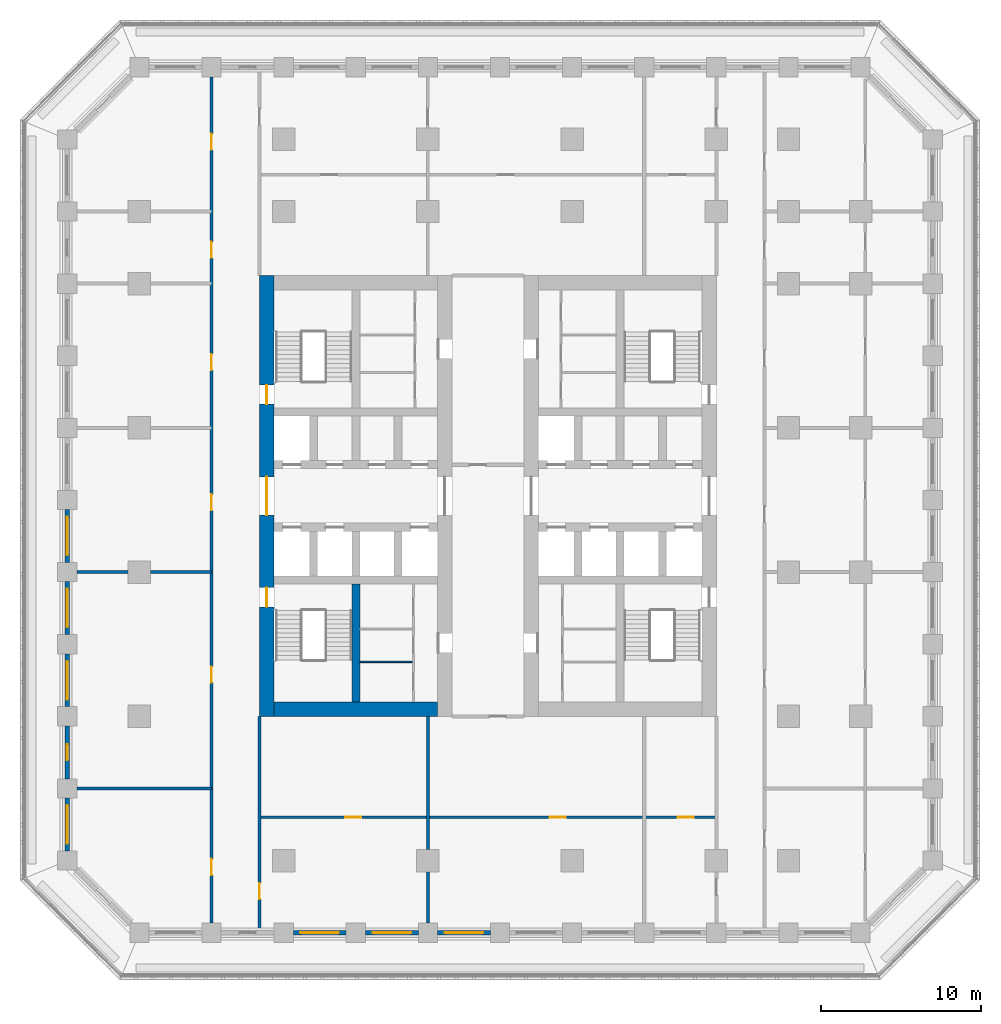
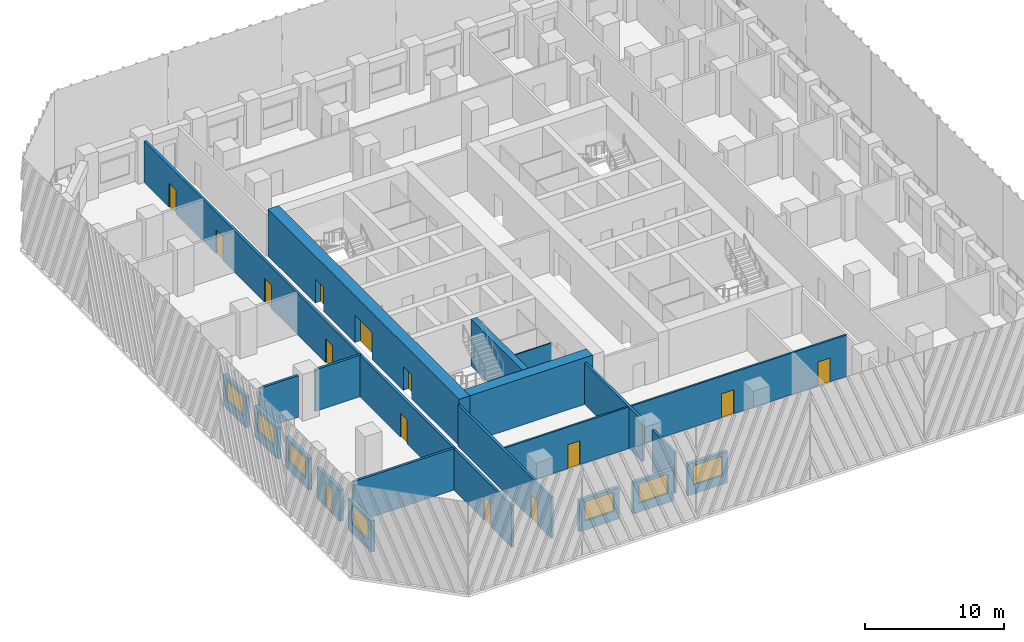
# One storey, part 3 of 19: 20 walls, 14 doors, 7 windows, 21 openings.
"""IFC4 building model written with IfcOpenShell, lengths in metres."""

from ifc_helpers import new_model, si_unit, direction, frame, frame_2d, origin, place, context, subcontext, project, spatial, rectangle, extrude, material, layer, layer_set, type_object, element, fill, save


model = new_model("IFC4")

# Units and contexts
model_context = context("Model", 3, precision=1e-05, world=origin(), true_north=direction((0.0, 1.0)))
body_context = subcontext(model_context, "Body", "Model", "MODEL_VIEW")
ifc_project = project(units=[si_unit("LENGTHUNIT", "METRE"), si_unit("AREAUNIT", "SQUARE_METRE"), si_unit("VOLUMEUNIT", "CUBIC_METRE"), si_unit("PLANEANGLEUNIT", "RADIAN"), si_unit("MASSUNIT", "GRAM", prefix="KILO")], contexts=[model_context])

# Site, building, storey
site_placement = place(None, origin())
site = spatial("IfcSite", under=ifc_project, at=site_placement, CompositionType="ELEMENT")
building_placement = place(site_placement, origin())
building = spatial("IfcBuilding", under=site, at=building_placement, Name="Corbel Stack Research Tower", CompositionType="ELEMENT")
storey_placement = place(building_placement, frame((0.0, 0.0, 90.199951171875)))
storey = spatial("IfcBuildingStorey", under=building, at=storey_placement, Name="L20", CompositionType="ELEMENT", Elevation=90.199951171875)

# Wall
ifc_material_1 = material(Name="Concrete C70/85", Category="concrete")
ifc_layer_1 = layer(ifc_material_1, 0.5)
ifc_layer_set_1 = layer_set([ifc_layer_1], Name="Concrete C70/85")
wall_type_1 = type_object("IfcWallType", Name="CW-500-70", PredefinedType="SHEAR", material=ifc_layer_set_1)
wall_1_placement = place(storey_placement, frame((-4.5, -8.10009765625, 0.0), z_axis=(0.0, 0.0, 1.0), x_axis=(0.0, 1.0, 0.0)))
element("IfcWall", 1, at=wall_1_placement, inside=storey, type_object=wall_type_1, Name="West core wall, south stair and WC L20", PredefinedType="SHEAR", context=body_context, shape_type="SweptSolid", body=[
    extrude(rectangle(XDim=7.35009765625, YDim=0.5, at=frame_2d((3.675048828125, 0.0))), origin(), (0.0, 0.0, 1.0), 4.10009765625),
])

# Wall, openings, doors
ifc_material_2 = material(Name="Concrete C70/85", Category="concrete")
ifc_layer_2 = layer(ifc_material_2, 0.89990234375)
ifc_layer_set_2 = layer_set([ifc_layer_2], Name="Concrete C70/85")
wall_type_2 = type_object("IfcWallType", Name="CW-900-70", PredefinedType="SHEAR", material=ifc_layer_set_2)
wall_2_placement = place(storey_placement, frame((-10.050048828125, -9.0, 0.0), z_axis=(0.0, 0.0, 1.0), x_axis=(0.0, 1.0, 0.0)))
wall_2 = element("IfcWall", 2, at=wall_2_placement, inside=storey, type_object=wall_type_2, Name="West core wall, west face L20", PredefinedType="SHEAR", context=body_context, shape_type="SweptSolid", body=[
    extrude(rectangle(XDim=27.5, YDim=0.89990234375, at=frame_2d((13.75, 0.0))), origin(), (0.0, 0.0, 1.0), 4.10009765625),
])
opening_1_placement = place(wall_2_placement, frame((12.550048828125, 0.0, 0.0)))
opening_1 = element("IfcOpeningElement", 3, at=opening_1_placement, cuts=wall_2, Name="Opening CD-W-W", PredefinedType="OPENING", context=body_context, shape_type="SweptSolid", body=[
    extrude(rectangle(XDim=2.39990234375, YDim=2.39990234375, at=frame_2d((1.199951171875, 1.199951171875))), frame((0.0, 0.4599609375, 0.0), z_axis=(0.0, -1.0, 0.0), x_axis=(1.0, 0.0, 0.0)), (0.0, 0.0, 1.0), 0.919921875),
])
opening_2_placement = place(wall_2_placement, frame((6.824951171875, 0.0, 0.0)))
opening_2 = element("IfcOpeningElement", 4, at=opening_2_placement, cuts=wall_2, Name="Opening SD-ST-W1", PredefinedType="OPENING", context=body_context, shape_type="SweptSolid", body=[
    extrude(rectangle(XDim=1.199951171875, YDim=2.10009765625, at=frame_2d((0.60009765625, 1.050048828125))), frame((0.0, 0.4599609375, 0.0), z_axis=(0.0, -1.0, 0.0), x_axis=(1.0, 0.0, 0.0)), (0.0, 0.0, 1.0), 0.919921875),
])
opening_3_placement = place(wall_2_placement, frame((19.47509765625, 0.0, 0.0)))
opening_3 = element("IfcOpeningElement", 5, at=opening_3_placement, cuts=wall_2, Name="Opening SD-ST-W2", PredefinedType="OPENING", context=body_context, shape_type="SweptSolid", body=[
    extrude(rectangle(XDim=1.199951171875, YDim=2.10009765625, at=frame_2d((0.60009765625, 1.050048828125))), frame((0.0, 0.4599609375, 0.0), z_axis=(0.0, -1.0, 0.0), x_axis=(1.0, 0.0, 0.0)), (0.0, 0.0, 1.0), 0.919921875),
])
ifc_material_3 = material(Name="Painted steel fire door", Category="steel")
door_type_1 = type_object("IfcDoorType", Name="Lobby door pair 2400 x 2400 FD30S", OperationType="DOUBLE_DOOR_DOUBLE_SWING", PredefinedType="DOOR", material=ifc_material_3)
door_1_placement = place(opening_1_placement, origin())
door_1 = element("IfcDoor", 6, at=door_1_placement, inside=storey, type_object=door_type_1, Name="Lift lobby door W core W", OperationType="DOUBLE_DOOR_DOUBLE_SWING", OverallHeight=2.39990234375, OverallWidth=2.39990234375, PredefinedType="DOOR", context=body_context, shape_type="SweptSolid", body=[
    extrude(rectangle(XDim=2.39990234375, YDim=2.39990234375, at=frame_2d((1.199951171875, 1.199951171875))), frame((0.0, 0.02490234375, 0.0), z_axis=(0.0, -1.0, 0.0), x_axis=(1.0, 0.0, 0.0)), (0.0, 0.0, 1.0), 0.050048828125),
])
fill(opening_1, door_1)
ifc_material_4 = material(Name="Painted steel fire door", Category="steel")
door_type_2 = type_object("IfcDoorType", Name="Stair door 1200 x 2100 FD90 left hand", OperationType="SINGLE_SWING_LEFT", PredefinedType="DOOR", material=ifc_material_4)
door_2_placement = place(opening_2_placement, origin())
door_2 = element("IfcDoor", 7, at=door_2_placement, inside=storey, type_object=door_type_2, Name="Stair door ST-W1", OperationType="SINGLE_SWING_LEFT", OverallHeight=2.10009765625, OverallWidth=1.199951171875, PredefinedType="DOOR", context=body_context, shape_type="SweptSolid", body=[
    extrude(rectangle(XDim=1.199951171875, YDim=2.10009765625, at=frame_2d((0.60009765625, 1.050048828125))), frame((0.0, 0.02490234375, 0.0), z_axis=(0.0, -1.0, 0.0), x_axis=(1.0, 0.0, 0.0)), (0.0, 0.0, 1.0), 0.050048828125),
])
fill(opening_2, door_2)
door_3_placement = place(opening_3_placement, origin())
door_3 = element("IfcDoor", 8, at=door_3_placement, inside=storey, type_object=door_type_2, Name="Stair door ST-W2", OperationType="SINGLE_SWING_LEFT", OverallHeight=2.10009765625, OverallWidth=1.199951171875, PredefinedType="DOOR", context=body_context, shape_type="SweptSolid", body=[
    extrude(rectangle(XDim=1.199951171875, YDim=2.10009765625, at=frame_2d((0.60009765625, 1.050048828125))), frame((0.0, 0.02490234375, 0.0), z_axis=(0.0, -1.0, 0.0), x_axis=(1.0, 0.0, 0.0)), (0.0, 0.0, 1.0), 0.050048828125),
])
fill(opening_3, door_3)

# Walls
wall_3_placement = place(storey_placement, frame((-9.60009765625, -8.550048828125, 0.0), z_axis=(0.0, 0.0, 1.0), x_axis=(1.0, 0.0, 0.0)))
element("IfcWall", 9, at=wall_3_placement, inside=storey, type_object=wall_type_2, Name="West core wall, south end L20", PredefinedType="SHEAR", context=body_context, shape_type="SweptSolid", body=[
    extrude(rectangle(XDim=10.2001953125, YDim=0.89990234375, at=frame_2d((5.10009765625, 0.0))), origin(), (0.0, 0.0, 1.0), 4.10009765625),
])
ifc_material_5 = material(Name="Gypsum board")
ifc_layer_3 = layer(ifc_material_5, 0.10009765625)
ifc_layer_set_3 = layer_set([ifc_layer_3], Name="Gypsum board")
wall_type_3 = type_object("IfcWallType", Name="Core partition 100", PredefinedType="PARTITIONING", material=ifc_layer_set_3)
wall_4_placement = place(storey_placement, frame((-4.25, -5.60107421875, 0.0), z_axis=(0.0, 0.0, 1.0), x_axis=(1.0, 0.0, 0.0)))
element("IfcWall", 10, at=wall_4_placement, inside=storey, type_object=wall_type_3, Name="Core partition W", PredefinedType="PARTITIONING", context=body_context, shape_type="SweptSolid", body=[
    extrude(rectangle(XDim=3.35009765625, YDim=0.10009765625, at=frame_2d((1.675048828125, 0.0))), origin(), (0.0, 0.0, 1.0), 3.650146484375),
])

# Wall, openings, doors
ifc_material_6 = material(Name="Fire-rated gypsum board partition on steel studs", Category="steel")
ifc_layer_4 = layer(ifc_material_6, 0.199951171875)
ifc_layer_set_4 = layer_set([ifc_layer_4], Name="Fire-rated gypsum board partition on steel studs")
wall_type_4 = type_object("IfcWallType", Name="Fire-rated partition 200 EI 60", PredefinedType="PARTITIONING", material=ifc_layer_set_4)
wall_5_placement = place(storey_placement, frame((-13.5, -21.89990234375, 0.0), z_axis=(0.0, 0.0, 1.0), x_axis=(0.0, 1.0, 0.0)))
wall_5 = element("IfcWall", 11, at=wall_5_placement, inside=storey, type_object=wall_type_4, Name="Partition L20-001", PredefinedType="PARTITIONING", context=body_context, shape_type="SweptSolid", body=[
    extrude(rectangle(XDim=52.7998046875, YDim=0.199951171875, at=frame_2d((26.39990234375, 0.0))), origin(), (0.0, 0.0, 1.0), 3.650146484375),
])
opening_4_placement = place(wall_5_placement, frame((3.0, 0.0, 0.0)))
opening_4 = element("IfcOpeningElement", 12, at=opening_4_placement, cuts=wall_5, Name="Opening B3V1-004", PredefinedType="OPENING", context=body_context, shape_type="SweptSolid", body=[
    extrude(rectangle(XDim=1.0, YDim=2.10009765625, at=frame_2d((0.5, 1.050048828125))), frame((0.0, 0.10986328125, 0.0), z_axis=(0.0, -1.0, 0.0), x_axis=(1.0, 0.0, 0.0)), (0.0, 0.0, 1.0), 0.219970703125),
])
opening_5_placement = place(wall_5_placement, frame((15.0, 0.0, 0.0)))
opening_5 = element("IfcOpeningElement", 13, at=opening_5_placement, cuts=wall_5, Name="Opening B3V1-005", PredefinedType="OPENING", context=body_context, shape_type="SweptSolid", body=[
    extrude(rectangle(XDim=1.0, YDim=2.10009765625, at=frame_2d((0.5, 1.050048828125))), frame((0.0, 0.10986328125, 0.0), z_axis=(0.0, -1.0, 0.0), x_axis=(1.0, 0.0, 0.0)), (0.0, 0.0, 1.0), 0.219970703125),
])
opening_6_placement = place(wall_5_placement, frame((25.75, 0.0, 0.0)))
opening_6 = element("IfcOpeningElement", 14, at=opening_6_placement, cuts=wall_5, Name="Opening B3V1-006", PredefinedType="OPENING", context=body_context, shape_type="SweptSolid", body=[
    extrude(rectangle(XDim=1.0, YDim=2.10009765625, at=frame_2d((0.5, 1.050048828125))), frame((0.0, 0.10986328125, 0.0), z_axis=(0.0, -1.0, 0.0), x_axis=(1.0, 0.0, 0.0)), (0.0, 0.0, 1.0), 0.219970703125),
])
opening_7_placement = place(wall_5_placement, frame((34.5, 0.0, 0.0)))
opening_7 = element("IfcOpeningElement", 15, at=opening_7_placement, cuts=wall_5, Name="Opening B3V1-007", PredefinedType="OPENING", context=body_context, shape_type="SweptSolid", body=[
    extrude(rectangle(XDim=1.0, YDim=2.10009765625, at=frame_2d((0.5, 1.050048828125))), frame((0.0, 0.10986328125, 0.0), z_axis=(0.0, -1.0, 0.0), x_axis=(1.0, 0.0, 0.0)), (0.0, 0.0, 1.0), 0.219970703125),
])
opening_8_placement = place(wall_5_placement, frame((41.5, 0.0, 0.0)))
opening_8 = element("IfcOpeningElement", 16, at=opening_8_placement, cuts=wall_5, Name="Opening B3V1-008", PredefinedType="OPENING", context=body_context, shape_type="SweptSolid", body=[
    extrude(rectangle(XDim=1.0, YDim=2.10009765625, at=frame_2d((0.5, 1.050048828125))), frame((0.0, 0.10986328125, 0.0), z_axis=(0.0, -1.0, 0.0), x_axis=(1.0, 0.0, 0.0)), (0.0, 0.0, 1.0), 0.219970703125),
])
opening_9_placement = place(wall_5_placement, frame((48.25, 0.0, 0.0)))
opening_9 = element("IfcOpeningElement", 17, at=opening_9_placement, cuts=wall_5, Name="Opening B3V1-009", PredefinedType="OPENING", context=body_context, shape_type="SweptSolid", body=[
    extrude(rectangle(XDim=1.0, YDim=2.10009765625, at=frame_2d((0.5, 1.050048828125))), frame((0.0, 0.10986328125, 0.0), z_axis=(0.0, -1.0, 0.0), x_axis=(1.0, 0.0, 0.0)), (0.0, 0.0, 1.0), 0.219970703125),
])
ifc_material_7 = material(Name="Painted steel fire door", Category="steel")
door_type_3 = type_object("IfcDoorType", Name="Fire door FD30S 1000 x 2100", OperationType="NOTDEFINED", PredefinedType="DOOR", material=ifc_material_7)
door_4_placement = place(opening_4_placement, origin())
door_4 = element("IfcDoor", 18, at=door_4_placement, inside=storey, type_object=door_type_3, Name="Door B3V1-004", OperationType="SINGLE_SWING_LEFT", OverallHeight=2.10009765625, OverallWidth=1.0, PredefinedType="DOOR", context=body_context, shape_type="SweptSolid", body=[
    extrude(rectangle(XDim=1.0, YDim=2.10009765625, at=frame_2d((0.5, 1.050048828125))), frame((0.0, 0.02490234375, 0.0), z_axis=(0.0, -1.0, 0.0), x_axis=(1.0, 0.0, 0.0)), (0.0, 0.0, 1.0), 0.050048828125),
])
fill(opening_4, door_4)
door_5_placement = place(opening_5_placement, origin())
door_5 = element("IfcDoor", 19, at=door_5_placement, inside=storey, type_object=door_type_3, Name="Door B3V1-005", OperationType="SINGLE_SWING_LEFT", OverallHeight=2.10009765625, OverallWidth=1.0, PredefinedType="DOOR", context=body_context, shape_type="SweptSolid", body=[
    extrude(rectangle(XDim=1.0, YDim=2.10009765625, at=frame_2d((0.5, 1.050048828125))), frame((0.0, 0.02490234375, 0.0), z_axis=(0.0, -1.0, 0.0), x_axis=(1.0, 0.0, 0.0)), (0.0, 0.0, 1.0), 0.050048828125),
])
fill(opening_5, door_5)
door_6_placement = place(opening_6_placement, origin())
door_6 = element("IfcDoor", 20, at=door_6_placement, inside=storey, type_object=door_type_3, Name="Door B3V1-006", OperationType="SINGLE_SWING_LEFT", OverallHeight=2.10009765625, OverallWidth=1.0, PredefinedType="DOOR", context=body_context, shape_type="SweptSolid", body=[
    extrude(rectangle(XDim=1.0, YDim=2.10009765625, at=frame_2d((0.5, 1.050048828125))), frame((0.0, 0.02490234375, 0.0), z_axis=(0.0, -1.0, 0.0), x_axis=(1.0, 0.0, 0.0)), (0.0, 0.0, 1.0), 0.050048828125),
])
fill(opening_6, door_6)
door_7_placement = place(opening_7_placement, origin())
door_7 = element("IfcDoor", 21, at=door_7_placement, inside=storey, type_object=door_type_3, Name="Door B3V1-007", OperationType="SINGLE_SWING_RIGHT", OverallHeight=2.10009765625, OverallWidth=1.0, PredefinedType="DOOR", context=body_context, shape_type="SweptSolid", body=[
    extrude(rectangle(XDim=1.0, YDim=2.10009765625, at=frame_2d((0.5, 1.050048828125))), frame((0.0, 0.02490234375, 0.0), z_axis=(0.0, -1.0, 0.0), x_axis=(1.0, 0.0, 0.0)), (0.0, 0.0, 1.0), 0.050048828125),
])
fill(opening_7, door_7)
door_8_placement = place(opening_8_placement, origin())
door_8 = element("IfcDoor", 22, at=door_8_placement, inside=storey, type_object=door_type_3, Name="Door B3V1-008", OperationType="SINGLE_SWING_RIGHT", OverallHeight=2.10009765625, OverallWidth=1.0, PredefinedType="DOOR", context=body_context, shape_type="SweptSolid", body=[
    extrude(rectangle(XDim=1.0, YDim=2.10009765625, at=frame_2d((0.5, 1.050048828125))), frame((0.0, 0.02490234375, 0.0), z_axis=(0.0, -1.0, 0.0), x_axis=(1.0, 0.0, 0.0)), (0.0, 0.0, 1.0), 0.050048828125),
])
fill(opening_8, door_8)
door_9_placement = place(opening_9_placement, origin())
door_9 = element("IfcDoor", 23, at=door_9_placement, inside=storey, type_object=door_type_3, Name="Door B3V1-009", OperationType="SINGLE_SWING_RIGHT", OverallHeight=2.10009765625, OverallWidth=1.0, PredefinedType="DOOR", context=body_context, shape_type="SweptSolid", body=[
    extrude(rectangle(XDim=1.0, YDim=2.10009765625, at=frame_2d((0.5, 1.050048828125))), frame((0.0, 0.02490234375, 0.0), z_axis=(0.0, -1.0, 0.0), x_axis=(1.0, 0.0, 0.0)), (0.0, 0.0, 1.0), 0.050048828125),
])
fill(opening_9, door_9)

# Wall, opening, door
wall_6_placement = place(storey_placement, frame((-10.5, -9.0, 0.0), z_axis=(0.0, 0.0, 1.0), x_axis=(0.0, -1.0, 0.0)))
wall_6 = element("IfcWall", 24, at=wall_6_placement, inside=storey, type_object=wall_type_4, Name="Partition L20-002", PredefinedType="PARTITIONING", context=body_context, shape_type="SweptSolid", body=[
    extrude(rectangle(XDim=13.35009765625, YDim=0.199951171875, at=frame_2d((6.675048828125, 0.0))), origin(), (0.0, 0.0, 1.0), 3.650146484375),
])
opening_10_placement = place(wall_6_placement, frame((10.39990234375, 0.0, 0.0)))
opening_10 = element("IfcOpeningElement", 25, at=opening_10_placement, cuts=wall_6, Name="Opening B3V1-010", PredefinedType="OPENING", context=body_context, shape_type="SweptSolid", body=[
    extrude(rectangle(XDim=1.0, YDim=2.10009765625, at=frame_2d((0.5, 1.050048828125))), frame((0.0, 0.10986328125, 0.0), z_axis=(0.0, -1.0, 0.0), x_axis=(1.0, 0.0, 0.0)), (0.0, 0.0, 1.0), 0.219970703125),
])
door_10_placement = place(opening_10_placement, origin())
door_10 = element("IfcDoor", 26, at=door_10_placement, inside=storey, type_object=door_type_3, Name="Door B3V1-010", OperationType="SINGLE_SWING_RIGHT", OverallHeight=2.10009765625, OverallWidth=1.0, PredefinedType="DOOR", context=body_context, shape_type="SweptSolid", body=[
    extrude(rectangle(XDim=1.0, YDim=2.10009765625, at=frame_2d((0.5, 1.050048828125))), frame((0.0, 0.02490234375, 0.0), z_axis=(0.0, -1.0, 0.0), x_axis=(1.0, 0.0, 0.0)), (0.0, 0.0, 1.0), 0.050048828125),
])
fill(opening_10, door_10)

# Walls
wall_7_placement = place(storey_placement, frame((0.0, -21.89990234375, 0.0), z_axis=(0.0, 0.0, 1.0), x_axis=(0.0, 1.0, 0.0)))
element("IfcWall", 27, at=wall_7_placement, inside=storey, type_object=wall_type_4, Name="Partition L20-007", PredefinedType="PARTITIONING", context=body_context, shape_type="SweptSolid", body=[
    extrude(rectangle(XDim=3.199951171875, YDim=0.199951171875, at=frame_2d((1.60009765625, 0.0))), origin(), (0.0, 0.0, 1.0), 3.650146484375),
])
wall_8_placement = place(storey_placement, frame((0.0, -17.300048828125, 0.0), z_axis=(0.0, 0.0, 1.0), x_axis=(0.0, 1.0, 0.0)))
element("IfcWall", 28, at=wall_8_placement, inside=storey, type_object=wall_type_4, Name="Partition L20-008", PredefinedType="PARTITIONING", context=body_context, shape_type="SweptSolid", body=[
    extrude(rectangle(XDim=8.300048828125, YDim=0.199951171875, at=frame_2d((4.14990234375, 0.0))), origin(), (0.0, 0.0, 1.0), 3.650146484375),
])
wall_9_placement = place(storey_placement, frame((-21.89990234375, -13.5, 0.0), z_axis=(0.0, 0.0, 1.0), x_axis=(1.0, 0.0, 0.0)))
element("IfcWall", 29, at=wall_9_placement, inside=storey, type_object=wall_type_4, Name="Partition L20-024", PredefinedType="PARTITIONING", context=body_context, shape_type="SweptSolid", body=[
    extrude(rectangle(XDim=8.39990234375, YDim=0.199951171875, at=frame_2d((4.199951171875, 0.0))), origin(), (0.0, 0.0, 1.0), 3.650146484375),
])
wall_10_placement = place(storey_placement, frame((-21.89990234375, 0.0, 0.0), z_axis=(0.0, 0.0, 1.0), x_axis=(1.0, 0.0, 0.0)))
element("IfcWall", 30, at=wall_10_placement, inside=storey, type_object=wall_type_4, Name="Partition L20-027", PredefinedType="PARTITIONING", context=body_context, shape_type="SweptSolid", body=[
    extrude(rectangle(XDim=3.199951171875, YDim=0.199951171875, at=frame_2d((1.60009765625, 0.0))), origin(), (0.0, 0.0, 1.0), 3.650146484375),
])
wall_11_placement = place(storey_placement, frame((-17.300048828125, 0.0, 0.0), z_axis=(0.0, 0.0, 1.0), x_axis=(1.0, 0.0, 0.0)))
element("IfcWall", 31, at=wall_11_placement, inside=storey, type_object=wall_type_4, Name="Partition L20-028", PredefinedType="PARTITIONING", context=body_context, shape_type="SweptSolid", body=[
    extrude(rectangle(XDim=3.800048828125, YDim=0.199951171875, at=frame_2d((1.89990234375, 0.0))), origin(), (0.0, 0.0, 1.0), 3.650146484375),
])

# Wall, openings, doors
ifc_material_8 = material(Name="Gypsum board partition on steel studs", Category="steel")
ifc_layer_5 = layer(ifc_material_8, 0.14990234375)
ifc_layer_set_5 = layer_set([ifc_layer_5], Name="Gypsum board partition on steel studs")
wall_type_5 = type_object("IfcWallType", Name="Partition 150", PredefinedType="PARTITIONING", material=ifc_layer_set_5)
wall_12_placement = place(storey_placement, frame((-10.5, -15.300048828125, 0.0), z_axis=(0.0, 0.0, 1.0), x_axis=(1.0, 0.0, 0.0)))
wall_12 = element("IfcWall", 32, at=wall_12_placement, inside=storey, type_object=wall_type_5, Name="Partition L20-023", PredefinedType="PARTITIONING", context=body_context, shape_type="SweptSolid", body=[
    extrude(rectangle(XDim=28.5, YDim=0.14990234375, at=frame_2d((14.25, 0.0))), origin(), (0.0, 0.0, 1.0), 3.650146484375),
])
opening_11_placement = place(wall_12_placement, frame((5.35009765625, 0.0, 0.0)))
opening_11 = element("IfcOpeningElement", 33, at=opening_11_placement, cuts=wall_12, Name="Opening B3V1-001", PredefinedType="OPENING", context=body_context, shape_type="SweptSolid", body=[
    extrude(rectangle(XDim=1.0, YDim=2.10009765625, at=frame_2d((0.5, 1.050048828125))), frame((0.0, 0.0849609375, 0.0), z_axis=(0.0, -1.0, 0.0), x_axis=(1.0, 0.0, 0.0)), (0.0, 0.0, 1.0), 0.169921875),
])
opening_12_placement = place(wall_12_placement, frame((18.10009765625, 0.0, 0.0)))
opening_12 = element("IfcOpeningElement", 34, at=opening_12_placement, cuts=wall_12, Name="Opening B3V1-002", PredefinedType="OPENING", context=body_context, shape_type="SweptSolid", body=[
    extrude(rectangle(XDim=1.0, YDim=2.10009765625, at=frame_2d((0.5, 1.050048828125))), frame((0.0, 0.0849609375, 0.0), z_axis=(0.0, -1.0, 0.0), x_axis=(1.0, 0.0, 0.0)), (0.0, 0.0, 1.0), 0.169921875),
])
opening_13_placement = place(wall_12_placement, frame((26.10009765625, 0.0, 0.0)))
opening_13 = element("IfcOpeningElement", 35, at=opening_13_placement, cuts=wall_12, Name="Opening B3V1-003", PredefinedType="OPENING", context=body_context, shape_type="SweptSolid", body=[
    extrude(rectangle(XDim=1.0, YDim=2.10009765625, at=frame_2d((0.5, 1.050048828125))), frame((0.0, 0.0849609375, 0.0), z_axis=(0.0, -1.0, 0.0), x_axis=(1.0, 0.0, 0.0)), (0.0, 0.0, 1.0), 0.169921875),
])
ifc_material_9 = material(Name="Painted timber door", Category="wood")
door_type_4 = type_object("IfcDoorType", Name="Single door 1000 x 2100", OperationType="NOTDEFINED", PredefinedType="DOOR", material=ifc_material_9)
door_11_placement = place(opening_11_placement, origin())
door_11 = element("IfcDoor", 36, at=door_11_placement, inside=storey, type_object=door_type_4, Name="Door B3V1-001", OperationType="SINGLE_SWING_LEFT", OverallHeight=2.10009765625, OverallWidth=1.0, PredefinedType="DOOR", context=body_context, shape_type="SweptSolid", body=[
    extrude(rectangle(XDim=1.0, YDim=2.10009765625, at=frame_2d((0.5, 1.050048828125))), frame((0.0, 0.02490234375, 0.0), z_axis=(0.0, -1.0, 0.0), x_axis=(1.0, 0.0, 0.0)), (0.0, 0.0, 1.0), 0.050048828125),
])
fill(opening_11, door_11)
door_12_placement = place(opening_12_placement, origin())
door_12 = element("IfcDoor", 37, at=door_12_placement, inside=storey, type_object=door_type_4, Name="Door B3V1-002", OperationType="SINGLE_SWING_RIGHT", OverallHeight=2.10009765625, OverallWidth=1.0, PredefinedType="DOOR", context=body_context, shape_type="SweptSolid", body=[
    extrude(rectangle(XDim=1.0, YDim=2.10009765625, at=frame_2d((0.5, 1.050048828125))), frame((0.0, 0.02490234375, 0.0), z_axis=(0.0, -1.0, 0.0), x_axis=(1.0, 0.0, 0.0)), (0.0, 0.0, 1.0), 0.050048828125),
])
fill(opening_12, door_12)
door_13_placement = place(opening_13_placement, origin())
door_13 = element("IfcDoor", 38, at=door_13_placement, inside=storey, type_object=door_type_4, Name="Door B3V1-003", OperationType="SINGLE_SWING_RIGHT", OverallHeight=2.10009765625, OverallWidth=1.0, PredefinedType="DOOR", context=body_context, shape_type="SweptSolid", body=[
    extrude(rectangle(XDim=1.0, YDim=2.10009765625, at=frame_2d((0.5, 1.050048828125))), frame((0.0, 0.02490234375, 0.0), z_axis=(0.0, -1.0, 0.0), x_axis=(1.0, 0.0, 0.0)), (0.0, 0.0, 1.0), 0.050048828125),
])
fill(opening_13, door_13)

# Wall, opening, window
ifc_material_10 = material(Name="Concrete C45/55", Category="concrete")
ifc_layer_6 = layer(ifc_material_10, 0.300048828125)
ifc_layer_set_6 = layer_set([ifc_layer_6], Name="Concrete C45/55")
wall_type_6 = type_object("IfcWallType", Name="Terracotta-faced concrete wall 300", PredefinedType="SOLIDWALL", material=ifc_layer_set_6)
wall_13_placement = place(storey_placement, frame((-5.10009765625, -22.5, 0.0), z_axis=(0.0, 0.0, 1.0), x_axis=(-1.0, 0.0, 0.0)))
wall_13 = element("IfcWall", 39, at=wall_13_placement, inside=storey, type_object=wall_type_6, Name="Facade wall L20 S03", PredefinedType="SOLIDWALL", context=body_context, shape_type="SweptSolid", body=[
    extrude(rectangle(XDim=3.2998046875, YDim=0.300048828125, at=frame_2d((1.64990234375, 0.0))), origin(), (0.0, 0.0, 1.0), 2.75),
])
opening_14_placement = place(wall_13_placement, frame((0.449951171875, 0.0, 0.800048828125)))
opening_14 = element("IfcOpeningElement", 40, at=opening_14_placement, cuts=wall_13, Name="Opening W1", PredefinedType="OPENING", context=body_context, shape_type="SweptSolid", body=[
    extrude(rectangle(XDim=2.39990234375, YDim=1.699951171875, at=frame_2d((1.199951171875, 0.85009765625))), frame((0.0, 0.159912109375, 0.0), z_axis=(0.0, -1.0, 0.0), x_axis=(1.0, 0.0, 0.0)), (0.0, 0.0, 1.0), 0.320068359375),
])
ifc_material_11 = material(Name="Aluminium frame, clear double glazing", Category="aluminium")
window_type = type_object("IfcWindowType", Name="Window W1 2400 x 1700", PartitioningType="SINGLE_PANEL", PredefinedType="WINDOW", material=ifc_material_11)
window_1_placement = place(opening_14_placement, origin())
window_1 = element("IfcWindow", 41, at=window_1_placement, inside=storey, type_object=window_type, Name="Window W1 L20 S03", OverallHeight=1.699951171875, OverallWidth=2.39990234375, PartitioningType="SINGLE_PANEL", PredefinedType="WINDOW", context=body_context, shape_type="SweptSolid", body=[
    extrude(rectangle(XDim=2.39990234375, YDim=1.699951171875, at=frame_2d((1.199951171875, 0.85009765625))), frame((0.0, 0.030029296875, 0.0), z_axis=(0.0, -1.0, 0.0), x_axis=(1.0, 0.0, 0.0)), (0.0, 0.0, 1.0), 0.06005859375),
])
fill(opening_14, window_1)

wall_14_placement = place(storey_placement, frame((-0.60009765625, -22.5, 0.0), z_axis=(0.0, 0.0, 1.0), x_axis=(-1.0, 0.0, 0.0)))
wall_14 = element("IfcWall", 42, at=wall_14_placement, inside=storey, type_object=wall_type_6, Name="Facade wall L20 S04", PredefinedType="SOLIDWALL", context=body_context, shape_type="SweptSolid", body=[
    extrude(rectangle(XDim=3.2998046875, YDim=0.300048828125, at=frame_2d((1.64990234375, 0.0))), origin(), (0.0, 0.0, 1.0), 2.75),
])
opening_15_placement = place(wall_14_placement, frame((0.449951171875, 0.0, 0.800048828125)))
opening_15 = element("IfcOpeningElement", 43, at=opening_15_placement, cuts=wall_14, Name="Opening W1", PredefinedType="OPENING", context=body_context, shape_type="SweptSolid", body=[
    extrude(rectangle(XDim=2.39990234375, YDim=1.699951171875, at=frame_2d((1.199951171875, 0.85009765625))), frame((0.0, 0.159912109375, 0.0), z_axis=(0.0, -1.0, 0.0), x_axis=(1.0, 0.0, 0.0)), (0.0, 0.0, 1.0), 0.320068359375),
])
window_2_placement = place(opening_15_placement, origin())
window_2 = element("IfcWindow", 44, at=window_2_placement, inside=storey, type_object=window_type, Name="Window W1 L20 S04", OverallHeight=1.699951171875, OverallWidth=2.39990234375, PartitioningType="SINGLE_PANEL", PredefinedType="WINDOW", context=body_context, shape_type="SweptSolid", body=[
    extrude(rectangle(XDim=2.39990234375, YDim=1.699951171875, at=frame_2d((1.199951171875, 0.85009765625))), frame((0.0, 0.030029296875, 0.0), z_axis=(0.0, -1.0, 0.0), x_axis=(1.0, 0.0, 0.0)), (0.0, 0.0, 1.0), 0.06005859375),
])
fill(opening_15, window_2)

wall_15_placement = place(storey_placement, frame((3.89990234375, -22.5, 0.0), z_axis=(0.0, 0.0, 1.0), x_axis=(-1.0, 0.0, 0.0)))
wall_15 = element("IfcWall", 45, at=wall_15_placement, inside=storey, type_object=wall_type_6, Name="Facade wall L20 S05", PredefinedType="SOLIDWALL", context=body_context, shape_type="SweptSolid", body=[
    extrude(rectangle(XDim=3.2998046875, YDim=0.300048828125, at=frame_2d((1.64990234375, 0.0))), origin(), (0.0, 0.0, 1.0), 2.75),
])
opening_16_placement = place(wall_15_placement, frame((0.449951171875, 0.0, 0.800048828125)))
opening_16 = element("IfcOpeningElement", 46, at=opening_16_placement, cuts=wall_15, Name="Opening W1", PredefinedType="OPENING", context=body_context, shape_type="SweptSolid", body=[
    extrude(rectangle(XDim=2.39990234375, YDim=1.699951171875, at=frame_2d((1.199951171875, 0.85009765625))), frame((0.0, 0.159912109375, 0.0), z_axis=(0.0, -1.0, 0.0), x_axis=(1.0, 0.0, 0.0)), (0.0, 0.0, 1.0), 0.320068359375),
])
window_3_placement = place(opening_16_placement, origin())
window_3 = element("IfcWindow", 47, at=window_3_placement, inside=storey, type_object=window_type, Name="Window W1 L20 S05", OverallHeight=1.699951171875, OverallWidth=2.39990234375, PartitioningType="SINGLE_PANEL", PredefinedType="WINDOW", context=body_context, shape_type="SweptSolid", body=[
    extrude(rectangle(XDim=2.39990234375, YDim=1.699951171875, at=frame_2d((1.199951171875, 0.85009765625))), frame((0.0, 0.030029296875, 0.0), z_axis=(0.0, -1.0, 0.0), x_axis=(1.0, 0.0, 0.0)), (0.0, 0.0, 1.0), 0.06005859375),
])
fill(opening_16, window_3)

wall_16_placement = place(storey_placement, frame((-22.5, 0.60009765625, 0.0), z_axis=(0.0, 0.0, 1.0), x_axis=(0.0, 1.0, 0.0)))
wall_16 = element("IfcWall", 48, at=wall_16_placement, inside=storey, type_object=wall_type_6, Name="Facade wall L20 W06", PredefinedType="SOLIDWALL", context=body_context, shape_type="SweptSolid", body=[
    extrude(rectangle(XDim=3.2998046875, YDim=0.300048828125, at=frame_2d((1.64990234375, 0.0))), origin(), (0.0, 0.0, 1.0), 2.75),
])
opening_17_placement = place(wall_16_placement, frame((0.449951171875, 0.0, 0.800048828125)))
opening_17 = element("IfcOpeningElement", 49, at=opening_17_placement, cuts=wall_16, Name="Opening W1", PredefinedType="OPENING", context=body_context, shape_type="SweptSolid", body=[
    extrude(rectangle(XDim=2.39990234375, YDim=1.699951171875, at=frame_2d((1.199951171875, 0.85009765625))), frame((0.0, 0.159912109375, 0.0), z_axis=(0.0, -1.0, 0.0), x_axis=(1.0, 0.0, 0.0)), (0.0, 0.0, 1.0), 0.320068359375),
])
window_4_placement = place(opening_17_placement, origin())
window_4 = element("IfcWindow", 50, at=window_4_placement, inside=storey, type_object=window_type, Name="Window W1 L20 W06", OverallHeight=1.699951171875, OverallWidth=2.39990234375, PartitioningType="SINGLE_PANEL", PredefinedType="WINDOW", context=body_context, shape_type="SweptSolid", body=[
    extrude(rectangle(XDim=2.39990234375, YDim=1.699951171875, at=frame_2d((1.199951171875, 0.85009765625))), frame((0.0, 0.030029296875, 0.0), z_axis=(0.0, -1.0, 0.0), x_axis=(1.0, 0.0, 0.0)), (0.0, 0.0, 1.0), 0.06005859375),
])
fill(opening_17, window_4)

wall_17_placement = place(storey_placement, frame((-22.5, -3.89990234375, 0.0), z_axis=(0.0, 0.0, 1.0), x_axis=(0.0, 1.0, 0.0)))
wall_17 = element("IfcWall", 51, at=wall_17_placement, inside=storey, type_object=wall_type_6, Name="Facade wall L20 W07", PredefinedType="SOLIDWALL", context=body_context, shape_type="SweptSolid", body=[
    extrude(rectangle(XDim=3.2998046875, YDim=0.300048828125, at=frame_2d((1.64990234375, 0.0))), origin(), (0.0, 0.0, 1.0), 2.75),
])
opening_18_placement = place(wall_17_placement, frame((0.449951171875, 0.0, 0.800048828125)))
opening_18 = element("IfcOpeningElement", 52, at=opening_18_placement, cuts=wall_17, Name="Opening W1", PredefinedType="OPENING", context=body_context, shape_type="SweptSolid", body=[
    extrude(rectangle(XDim=2.39990234375, YDim=1.699951171875, at=frame_2d((1.199951171875, 0.85009765625))), frame((0.0, 0.159912109375, 0.0), z_axis=(0.0, -1.0, 0.0), x_axis=(1.0, 0.0, 0.0)), (0.0, 0.0, 1.0), 0.320068359375),
])
window_5_placement = place(opening_18_placement, origin())
window_5 = element("IfcWindow", 53, at=window_5_placement, inside=storey, type_object=window_type, Name="Window W1 L20 W07", OverallHeight=1.699951171875, OverallWidth=2.39990234375, PartitioningType="SINGLE_PANEL", PredefinedType="WINDOW", context=body_context, shape_type="SweptSolid", body=[
    extrude(rectangle(XDim=2.39990234375, YDim=1.699951171875, at=frame_2d((1.199951171875, 0.85009765625))), frame((0.0, 0.030029296875, 0.0), z_axis=(0.0, -1.0, 0.0), x_axis=(1.0, 0.0, 0.0)), (0.0, 0.0, 1.0), 0.06005859375),
])
fill(opening_18, window_5)

wall_18_placement = place(storey_placement, frame((-22.5, -8.39990234375, 0.0), z_axis=(0.0, 0.0, 1.0), x_axis=(0.0, 1.0, 0.0)))
wall_18 = element("IfcWall", 54, at=wall_18_placement, inside=storey, type_object=wall_type_6, Name="Facade wall L20 W08", PredefinedType="SOLIDWALL", context=body_context, shape_type="SweptSolid", body=[
    extrude(rectangle(XDim=3.2998046875, YDim=0.300048828125, at=frame_2d((1.64990234375, 0.0))), origin(), (0.0, 0.0, 1.0), 2.75),
])
opening_19_placement = place(wall_18_placement, frame((0.449951171875, 0.0, 0.800048828125)))
opening_19 = element("IfcOpeningElement", 55, at=opening_19_placement, cuts=wall_18, Name="Opening W1", PredefinedType="OPENING", context=body_context, shape_type="SweptSolid", body=[
    extrude(rectangle(XDim=2.39990234375, YDim=1.699951171875, at=frame_2d((1.199951171875, 0.85009765625))), frame((0.0, 0.159912109375, 0.0), z_axis=(0.0, -1.0, 0.0), x_axis=(1.0, 0.0, 0.0)), (0.0, 0.0, 1.0), 0.320068359375),
])
window_6_placement = place(opening_19_placement, origin())
window_6 = element("IfcWindow", 56, at=window_6_placement, inside=storey, type_object=window_type, Name="Window W1 L20 W08", OverallHeight=1.699951171875, OverallWidth=2.39990234375, PartitioningType="SINGLE_PANEL", PredefinedType="WINDOW", context=body_context, shape_type="SweptSolid", body=[
    extrude(rectangle(XDim=2.39990234375, YDim=1.699951171875, at=frame_2d((1.199951171875, 0.85009765625))), frame((0.0, 0.030029296875, 0.0), z_axis=(0.0, -1.0, 0.0), x_axis=(1.0, 0.0, 0.0)), (0.0, 0.0, 1.0), 0.06005859375),
])
fill(opening_19, window_6)

# Wall, opening, door
wall_19_placement = place(storey_placement, frame((-22.5, -12.89990234375, 0.0), z_axis=(0.0, 0.0, 1.0), x_axis=(0.0, 1.0, 0.0)))
wall_19 = element("IfcWall", 57, at=wall_19_placement, inside=storey, type_object=wall_type_6, Name="Facade wall L20 W09", PredefinedType="SOLIDWALL", context=body_context, shape_type="SweptSolid", body=[
    extrude(rectangle(XDim=3.2998046875, YDim=0.300048828125, at=frame_2d((1.64990234375, 0.0))), origin(), (0.0, 0.0, 1.0), 2.75),
])
opening_20_placement = place(wall_19_placement, frame((1.14990234375, 0.0, 0.0)))
opening_20 = element("IfcOpeningElement", 58, at=opening_20_placement, cuts=wall_19, Name="Opening L20-B11", PredefinedType="OPENING", context=body_context, shape_type="SweptSolid", body=[
    extrude(rectangle(XDim=1.0, YDim=2.199951171875, at=frame_2d((0.5, 1.10009765625))), frame((0.0, 0.159912109375, 0.0), z_axis=(0.0, -1.0, 0.0), x_axis=(1.0, 0.0, 0.0)), (0.0, 0.0, 1.0), 0.320068359375),
])
ifc_material_12 = material(Name="Aluminium frame, clear double glazing", Category="aluminium")
door_type_5 = type_object("IfcDoorType", Name="Balcony door BD1 1000 x 2200", OperationType="NOTDEFINED", PredefinedType="DOOR", material=ifc_material_12)
door_14_placement = place(opening_20_placement, origin())
door_14 = element("IfcDoor", 59, at=door_14_placement, inside=storey, type_object=door_type_5, Name="Balcony door L20-B11", OperationType="SINGLE_SWING_LEFT", OverallHeight=2.199951171875, OverallWidth=1.0, PredefinedType="DOOR", context=body_context, shape_type="SweptSolid", body=[
    extrude(rectangle(XDim=1.0, YDim=2.199951171875, at=frame_2d((0.5, 1.10009765625))), frame((0.0, 0.02490234375, 0.0), z_axis=(0.0, -1.0, 0.0), x_axis=(1.0, 0.0, 0.0)), (0.0, 0.0, 1.0), 0.050048828125),
])
fill(opening_20, door_14)

# Wall, opening, window
wall_20_placement = place(storey_placement, frame((-22.5, -17.39990234375, 0.0), z_axis=(0.0, 0.0, 1.0), x_axis=(0.0, 1.0, 0.0)))
wall_20 = element("IfcWall", 60, at=wall_20_placement, inside=storey, type_object=wall_type_6, Name="Facade wall L20 W10", PredefinedType="SOLIDWALL", context=body_context, shape_type="SweptSolid", body=[
    extrude(rectangle(XDim=3.2998046875, YDim=0.300048828125, at=frame_2d((1.64990234375, 0.0))), origin(), (0.0, 0.0, 1.0), 2.75),
])
opening_21_placement = place(wall_20_placement, frame((0.449951171875, 0.0, 0.800048828125)))
opening_21 = element("IfcOpeningElement", 61, at=opening_21_placement, cuts=wall_20, Name="Opening W1", PredefinedType="OPENING", context=body_context, shape_type="SweptSolid", body=[
    extrude(rectangle(XDim=2.39990234375, YDim=1.699951171875, at=frame_2d((1.199951171875, 0.85009765625))), frame((0.0, 0.159912109375, 0.0), z_axis=(0.0, -1.0, 0.0), x_axis=(1.0, 0.0, 0.0)), (0.0, 0.0, 1.0), 0.320068359375),
])
window_7_placement = place(opening_21_placement, origin())
window_7 = element("IfcWindow", 62, at=window_7_placement, inside=storey, type_object=window_type, Name="Window W1 L20 W10", OverallHeight=1.699951171875, OverallWidth=2.39990234375, PartitioningType="SINGLE_PANEL", PredefinedType="WINDOW", context=body_context, shape_type="SweptSolid", body=[
    extrude(rectangle(XDim=2.39990234375, YDim=1.699951171875, at=frame_2d((1.199951171875, 0.85009765625))), frame((0.0, 0.030029296875, 0.0), z_axis=(0.0, -1.0, 0.0), x_axis=(1.0, 0.0, 0.0)), (0.0, 0.0, 1.0), 0.06005859375),
])
fill(opening_21, window_7)

save(model, "model.ifc")
